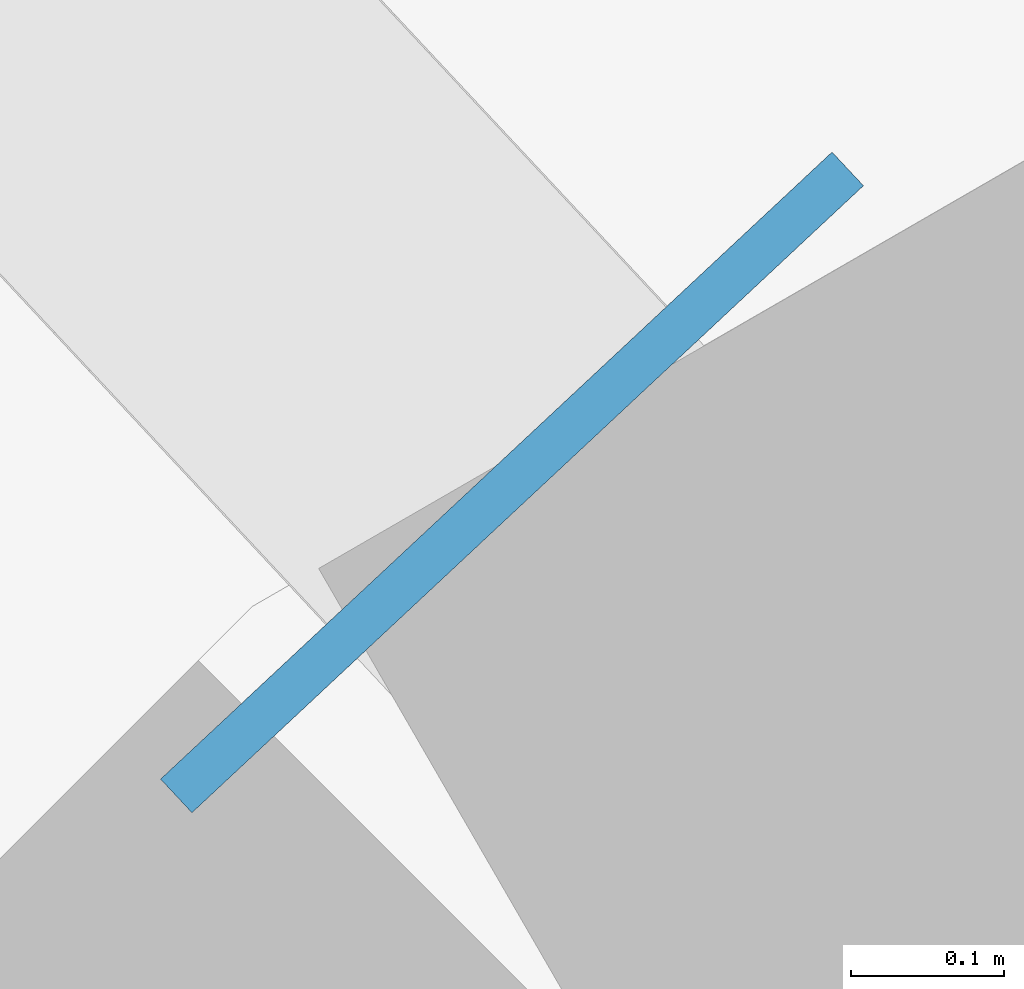
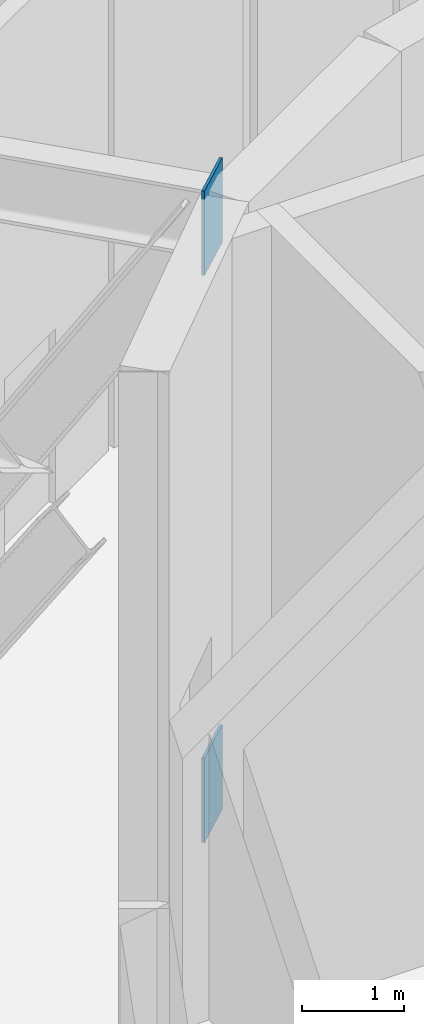
# One storey, part 23 of 25: 2 discrete accessories.
"""IFC4 building model written with IfcOpenShell, lengths in metres."""

from ifc_helpers import new_model, si_unit, direction, frame, origin, origin_2d, place, context, subcontext, project, spatial, rectangle, extrude, material, layer, layer_set, type_object, element, save


model = new_model("IFC4")

# Units and contexts
model_context = context("Model", 3, precision=1e-05, world=origin(), true_north=direction((0.0, 1.0)))
body_context = subcontext(model_context, "Body", "Model", "MODEL_VIEW")
ifc_project = project(units=[si_unit("LENGTHUNIT", "METRE"), si_unit("AREAUNIT", "SQUARE_METRE"), si_unit("VOLUMEUNIT", "CUBIC_METRE"), si_unit("PLANEANGLEUNIT", "RADIAN"), si_unit("MASSUNIT", "GRAM", prefix="KILO")], contexts=[model_context])

# Site, building, storey
site_placement = place(None, origin())
site = spatial("IfcSite", under=ifc_project, at=site_placement, CompositionType="ELEMENT")
building_placement = place(site_placement, origin())
building = spatial("IfcBuilding", under=site, at=building_placement, Name="Spindle Arch Residences", CompositionType="ELEMENT")
storey_placement = place(building_placement, frame((0.0, 0.0, 291.39990234375)))
storey = spatial("IfcBuildingStorey", under=building, at=storey_placement, Name="L75", CompositionType="ELEMENT", Elevation=291.39990234375)

# Discrete accessories
ifc_material = material(Name="Steel S355J2, hot-dip galvanised", Category="steel")
ifc_layer = layer(ifc_material, 0.030029296875)
ifc_layer_set = layer_set([ifc_layer], Name="Cast-in plate 30x600x1014")
discrete_accessory_type = type_object("IfcDiscreteAccessoryType", Name="Cast-in plate 30x600x1014", PredefinedType="ANCHORPLATE", material=ifc_layer_set)
for number, where, z_axis, x_axis, name in (
    (1, (-7.135498046875, 9.601318359375, -1.36376953125), (0.0, 0.0, 1.0), (-0.682483262176, 0.730901222362, 0.0), "Cast-in plate"),
    (2, (-7.135498046875, 9.601318359375, 5.43603515625), (0.0, 0.0, 1.0), (-0.682483262176, 0.730901222362, 0.0), "Cast-in plate"),
):
    element("IfcDiscreteAccessory", number, at=place(storey_placement, frame(where, z_axis=z_axis, x_axis=x_axis)), inside=storey, type_object=discrete_accessory_type, Name=name, PredefinedType="ANCHORPLATE", context=body_context, shape_type="SweptSolid", body=[
        extrude(rectangle(XDim=0.030029296875, YDim=0.60009765625, at=origin_2d()), origin(), (0.0, 0.0, 1.0), 1.013916015625),
    ])

save(model, "model.ifc")
